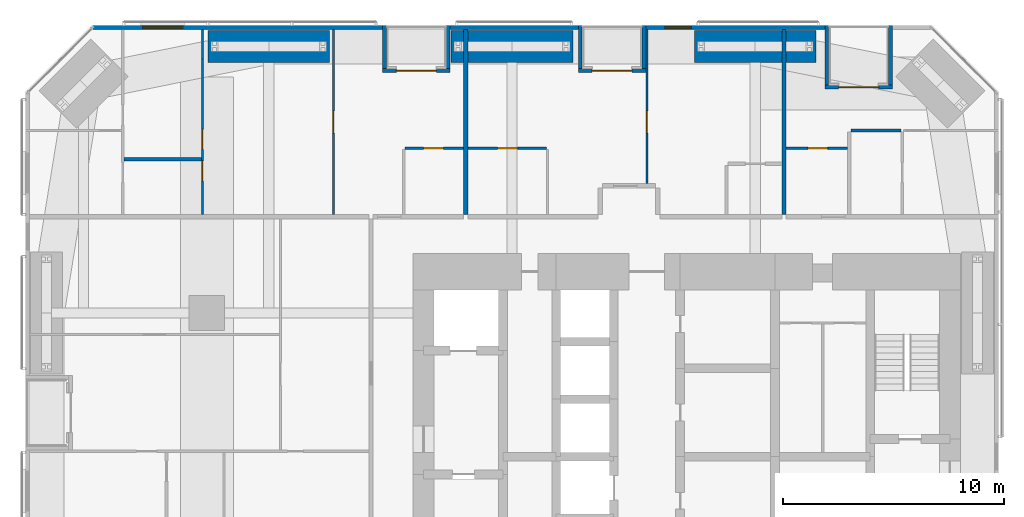
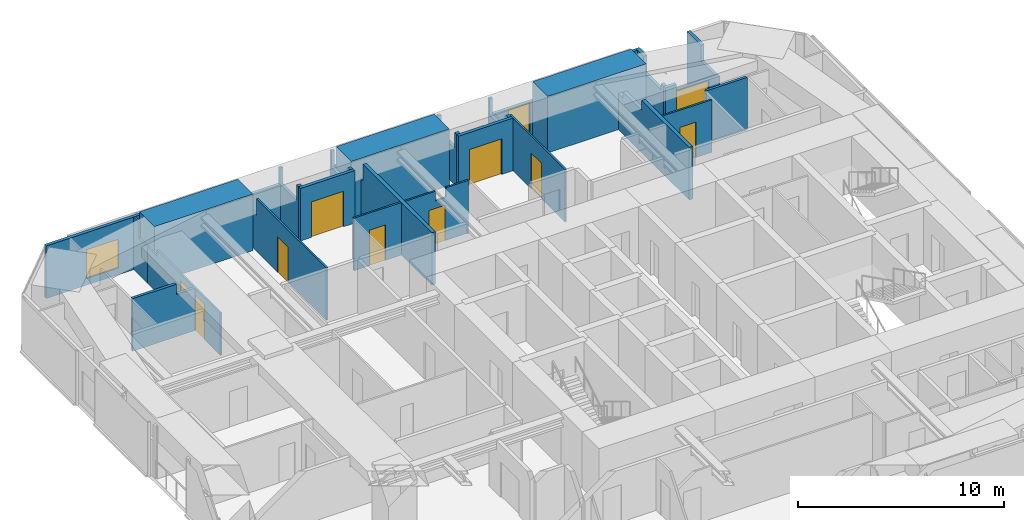
# One storey, part 22 of 24: 27 walls, 10 doors, 2 windows, 12 openings.
"""IFC4 building model written with IfcOpenShell, lengths in metres."""

from ifc_helpers import new_model, si_unit, direction, frame, frame_2d, origin, place, context, subcontext, project, spatial, polyline, rectangle, outline, extrude, material, layer, layer_set, constituent, constituent_set, type_object, element, fill, save


model = new_model("IFC4")

# Units and contexts
model_context = context("Model", 3, precision=1e-05, world=origin(), true_north=direction((0.0, 1.0)))
body_context = subcontext(model_context, "Body", "Model", "MODEL_VIEW")
ifc_project = project(units=[si_unit("LENGTHUNIT", "METRE"), si_unit("AREAUNIT", "SQUARE_METRE"), si_unit("VOLUMEUNIT", "CUBIC_METRE"), si_unit("PLANEANGLEUNIT", "RADIAN"), si_unit("MASSUNIT", "GRAM", prefix="KILO")], contexts=[model_context])

# Site, building, storey
site_placement = place(None, origin())
site = spatial("IfcSite", under=ifc_project, at=site_placement, CompositionType="ELEMENT")
building_placement = place(site_placement, origin())
building = spatial("IfcBuilding", under=site, at=building_placement, Name="Jalousie Tower", CompositionType="ELEMENT")
storey_placement = place(building_placement, frame((0.0, 0.0, 51.14990234375)))
storey = spatial("IfcBuildingStorey", under=building, at=storey_placement, Name="L13", CompositionType="ELEMENT", Elevation=51.14990234375)

# Walls
ifc_material_1 = material(Name="Concrete block ASTM C90", Category="concrete")
ifc_constituent_1 = constituent(ifc_material_1, Name="Body")
ifc_material_2 = material(Name="Render")
ifc_constituent_2 = constituent(ifc_material_2, Name="Finish")
ifc_constituent_set_1 = constituent_set(constituents=[ifc_constituent_1, ifc_constituent_2])
wall_type_1 = type_object("IfcWallType", Name="BATHROOM WALL 150", PredefinedType="PLUMBINGWALL", material=ifc_constituent_set_1)
wall_1_placement = place(storey_placement, frame((6.449951171875, 31.949951171875, 0.0), z_axis=(0.0, 0.0, 1.0), x_axis=(1.0, 0.0, 0.0)))
element("IfcWall", 1, at=wall_1_placement, inside=storey, type_object=wall_type_1, Name="Bathroom Wall 150 L13", PredefinedType="PLUMBINGWALL", context=body_context, shape_type="SweptSolid", body=[
    extrude(outline(polyline([(0.0, 0.0), (3.5, 0.0), (3.5, 3.110107421875), (3.5, 2.510009765625), (2.465087890625, 2.510009765625), (2.465087890625, 3.110107421875), (0.0, 3.110107421875), (0.0, 0.0)])), frame((0.0, 0.074951171875, 0.0), z_axis=(0.0, -1.0, 0.0), x_axis=(1.0, 0.0, 0.0)), (0.0, 0.0, 1.0), 0.14990234375),
])
wall_2_placement = place(storey_placement, frame((39.324951171875, 33.25341796875, 0.0), z_axis=(0.0, 0.0, 1.0), x_axis=(1.0, 0.0, 0.0)))
element("IfcWall", 2, at=wall_2_placement, inside=storey, type_object=wall_type_1, Name="Bathroom Wall 150 L13", PredefinedType="PLUMBINGWALL", context=body_context, shape_type="SweptSolid", body=[
    extrude(rectangle(XDim=2.275146484375, YDim=0.14990234375, at=frame_2d((1.1376953125, 0.0))), origin(), (0.0, 0.0, 1.0), 3.110107421875),
])

# Wall, opening, window
ifc_material_3 = material(Name="Concrete f'c 40 MPa", Category="concrete")
ifc_constituent_3 = constituent(ifc_material_3, Name="Body")
ifc_material_4 = material(Name="Render, pastel coral")
ifc_constituent_4 = constituent(ifc_material_4, Name="Finish")
ifc_constituent_set_2 = constituent_set(constituents=[ifc_constituent_3, ifc_constituent_4])
wall_type_2 = type_object("IfcWallType", Name="EXTERNAL WALL 175 CORAL RENDER", PredefinedType="SOLIDWALL", material=ifc_constituent_set_2)
wall_3_placement = place(storey_placement, frame((38.148681640625, 37.91259765625, 0.0), z_axis=(0.0, 0.0, 1.0), x_axis=(-1.0, 0.0, 0.0)))
wall_3 = element("IfcWall", 3, at=wall_3_placement, inside=storey, type_object=wall_type_2, Name="External Wall 175 Coral Render L13", PredefinedType="SOLIDWALL", context=body_context, shape_type="SweptSolid", body=[
    extrude(outline(polyline([(0.0, 0.0), (8.0986328125, 0.0), (8.0986328125, 2.150146484375), (3.148681640625, 2.150146484375), (3.148681640625, 3.110107421875), (2.992919921875, 3.110107421875), (2.992919921875, 2.150146484375), (2.944580078125, 2.150146484375), (2.944580078125, 3.110107421875), (0.0, 3.110107421875), (0.0, 0.0)])), frame((0.0, 0.08740234375, 0.0), z_axis=(0.0, -1.0, 0.0), x_axis=(1.0, 0.0, 0.0)), (0.0, 0.0, 1.0), 0.175048828125),
])
opening_1_placement = place(wall_3_placement, frame((6.03369140625, 0.0, 0.39990234375)))
opening_1 = element("IfcOpeningElement", 4, at=opening_1_placement, cuts=wall_3, Name="Opening W-COR170", PredefinedType="OPENING", context=body_context, shape_type="SweptSolid", body=[
    extrude(rectangle(XDim=1.199951171875, YDim=1.699951171875, at=frame_2d((0.60009765625, 0.85009765625))), frame((0.0, 0.097412109375, 0.0), z_axis=(0.0, -1.0, 0.0), x_axis=(1.0, 0.0, 0.0)), (0.0, 0.0, 1.0), 0.195068359375),
])
ifc_material_5 = material(Name="Aluminium frame, impact-rated glazing", Category="aluminium")
window_type_1 = type_object("IfcWindowType", Name="WINDOW COR 1200x1700", PartitioningType="SINGLE_PANEL", PredefinedType="WINDOW", material=ifc_material_5)
window_1_placement = place(opening_1_placement, origin())
window_1 = element("IfcWindow", 5, at=window_1_placement, inside=storey, type_object=window_type_1, Name="Apartment 1304 dining room window", OverallHeight=1.699951171875, OverallWidth=1.199951171875, PartitioningType="SINGLE_PANEL", PredefinedType="WINDOW", context=body_context, shape_type="SweptSolid", body=[
    extrude(rectangle(XDim=1.199951171875, YDim=1.699951171875, at=frame_2d((0.60009765625, 0.85009765625))), frame((0.0, 0.030029296875, 0.0), z_axis=(0.0, -1.0, 0.0), x_axis=(1.0, 0.0, 0.0)), (0.0, 0.0, 1.0), 0.06005859375),
])
fill(opening_1, window_1)

# Wall
wall_4_placement = place(storey_placement, frame((27.0, 37.91259765625, 0.0), z_axis=(0.0, 0.0, 1.0), x_axis=(-1.0, 0.0, 0.0)))
element("IfcWall", 6, at=wall_4_placement, inside=storey, type_object=wall_type_2, Name="External Wall 175 Coral Render L13", PredefinedType="SOLIDWALL", context=body_context, shape_type="SweptSolid", body=[
    extrude(rectangle(XDim=5.800048828125, YDim=0.175048828125, at=frame_2d((2.89990234375, 0.0))), origin(), (0.0, 0.0, 1.0), 2.150146484375),
])

# Wall, opening, window
wall_5_placement = place(storey_placement, frame((18.14990234375, 37.91259765625, 0.0), z_axis=(0.0, 0.0, 1.0), x_axis=(-1.0, 0.0, 0.0)))
wall_5 = element("IfcWall", 7, at=wall_5_placement, inside=storey, type_object=wall_type_2, Name="External Wall 175 Coral Render L13", PredefinedType="SOLIDWALL", context=body_context, shape_type="SweptSolid", body=[
    extrude(outline(polyline([(0.0, 0.0), (13.0986328125, 0.0), (13.0986328125, 3.110107421875), (5.35400390625, 3.110107421875), (5.35400390625, 2.150146484375), (5.3056640625, 2.150146484375), (5.3056640625, 3.110107421875), (5.14990234375, 3.110107421875), (5.14990234375, 2.150146484375), (0.0, 2.150146484375), (0.0, 0.0)])), frame((0.0, 0.08740234375, 0.0), z_axis=(0.0, -1.0, 0.0), x_axis=(1.0, 0.0, 0.0)), (0.0, 0.0, 1.0), 0.175048828125),
])
opening_2_placement = place(wall_5_placement, frame((9.050048828125, 0.0, 0.39990234375)))
opening_2 = element("IfcOpeningElement", 8, at=opening_2_placement, cuts=wall_5, Name="Opening W-BED170", PredefinedType="OPENING", context=body_context, shape_type="SweptSolid", body=[
    extrude(rectangle(XDim=1.800048828125, YDim=1.699951171875, at=frame_2d((0.89990234375, 0.85009765625))), frame((0.0, 0.097412109375, 0.0), z_axis=(0.0, -1.0, 0.0), x_axis=(1.0, 0.0, 0.0)), (0.0, 0.0, 1.0), 0.195068359375),
])
ifc_material_6 = material(Name="Aluminium frame, impact-rated glazing", Category="aluminium")
window_type_2 = type_object("IfcWindowType", Name="WINDOW BED 1800x1700", PartitioningType="SINGLE_PANEL", PredefinedType="WINDOW", material=ifc_material_6)
window_2_placement = place(opening_2_placement, origin())
window_2 = element("IfcWindow", 9, at=window_2_placement, inside=storey, type_object=window_type_2, Name="Apartment 1303 bedroom 2 window", OverallHeight=1.699951171875, OverallWidth=1.800048828125, PartitioningType="SINGLE_PANEL", PredefinedType="WINDOW", context=body_context, shape_type="SweptSolid", body=[
    extrude(rectangle(XDim=1.800048828125, YDim=1.699951171875, at=frame_2d((0.89990234375, 0.85009765625))), frame((0.0, 0.030029296875, 0.0), z_axis=(0.0, -1.0, 0.0), x_axis=(1.0, 0.0, 0.0)), (0.0, 0.0, 1.0), 0.06005859375),
])
fill(opening_2, window_2)

# Wall, opening, door
wall_6_placement = place(storey_placement, frame((41.19873046875, 35.21240234375, 0.0), z_axis=(0.0, 0.0, 1.0), x_axis=(-1.0, 0.0, 0.0)))
wall_6 = element("IfcWall", 10, at=wall_6_placement, inside=storey, type_object=wall_type_2, Name="External Wall 175 Coral Render L13-A", PredefinedType="SOLIDWALL", context=body_context, shape_type="SweptSolid", body=[
    extrude(rectangle(XDim=2.425048828125, YDim=0.175048828125, at=frame_2d((1.21240234375, 0.0))), origin(), (0.0, 0.0, 1.0), 2.150146484375),
])
opening_3_placement = place(wall_6_placement, frame((0.625, 0.0, 0.0)))
opening_3 = element("IfcOpeningElement", 11, at=opening_3_placement, cuts=wall_6, Name="Opening D-BAL21", PredefinedType="OPENING", context=body_context, shape_type="SweptSolid", body=[
    extrude(rectangle(XDim=1.800048828125, YDim=2.10009765625, at=frame_2d((0.89990234375, 1.050048828125))), frame((0.0, 0.097412109375, 0.0), z_axis=(0.0, -1.0, 0.0), x_axis=(1.0, 0.0, 0.0)), (0.0, 0.0, 1.0), 0.195068359375),
])
ifc_material_7 = material(Name="Aluminium frame, impact-rated glazing", Category="aluminium")
door_type_1 = type_object("IfcDoorType", Name="BALCONY DOOR 1800x2100", OperationType="SLIDING_TO_LEFT", PredefinedType="DOOR", material=ifc_material_7)
door_1_placement = place(opening_3_placement, origin())
door_1 = element("IfcDoor", 12, at=door_1_placement, inside=storey, type_object=door_type_1, Name="Apartment 1305 living and dining room loggia door", OperationType="SLIDING_TO_LEFT", OverallHeight=2.10009765625, OverallWidth=1.800048828125, PredefinedType="DOOR", context=body_context, shape_type="SweptSolid", body=[
    extrude(rectangle(XDim=1.800048828125, YDim=2.10009765625, at=frame_2d((0.89990234375, 1.050048828125))), frame((0.0, 0.02490234375, 0.0), z_axis=(0.0, -1.0, 0.0), x_axis=(1.0, 0.0, 0.0)), (0.0, 0.0, 1.0), 0.050048828125),
])
fill(opening_3, door_1)

# Walls
wall_7_placement = place(storey_placement, frame((38.773681640625, 35.21240234375, 0.0), z_axis=(0.0, 0.0, 1.0), x_axis=(-1.0, 0.0, 0.0)))
element("IfcWall", 13, at=wall_7_placement, inside=storey, type_object=wall_type_2, Name="External Wall 175 Coral Render L13-B", PredefinedType="SOLIDWALL", context=body_context, shape_type="SweptSolid", body=[
    extrude(rectangle(XDim=0.625, YDim=0.175048828125, at=frame_2d((0.3125, 0.0))), origin(), (0.0, 0.0, 1.0), 2.510009765625),
])
wall_8_placement = place(storey_placement, frame((41.111083984375, 38.0, 0.0), z_axis=(0.0, 0.0, 1.0), x_axis=(0.0, -1.0, 0.0)))
element("IfcWall", 14, at=wall_8_placement, inside=storey, type_object=wall_type_2, Name="External Wall 175 Coral Render L13", PredefinedType="SOLIDWALL", context=body_context, shape_type="SweptSolid", body=[
    extrude(outline(polyline([(0.0, 0.0), (2.699951171875, 0.0), (2.699951171875, 2.150146484375), (1.34423828125, 2.150146484375), (1.34423828125, 3.110107421875), (0.0, 3.110107421875), (0.0, 0.0)])), frame((0.0, 0.08740234375, 0.0), z_axis=(0.0, -1.0, 0.0), x_axis=(1.0, 0.0, 0.0)), (0.0, 0.0, 1.0), 0.175048828125),
])
wall_9_placement = place(storey_placement, frame((38.236083984375, 38.0, 0.0), z_axis=(0.0, 0.0, 1.0), x_axis=(0.0, -1.0, 0.0)))
element("IfcWall", 15, at=wall_9_placement, inside=storey, type_object=wall_type_2, Name="External Wall 175 Coral Render L13", PredefinedType="SOLIDWALL", context=body_context, shape_type="SweptSolid", body=[
    extrude(outline(polyline([(0.0, 0.0), (2.699951171875, 0.0), (2.699951171875, 2.510009765625), (2.433837890625, 2.510009765625), (2.433837890625, 2.150146484375), (0.7666015625, 2.150146484375), (0.7666015625, 3.110107421875), (0.0, 3.110107421875), (0.0, 0.0)])), frame((0.0, 0.08740234375, 0.0), z_axis=(0.0, -1.0, 0.0), x_axis=(1.0, 0.0, 0.0)), (0.0, 0.0, 1.0), 0.175048828125),
])

# Wall, opening, door
wall_10_placement = place(storey_placement, frame((30.050048828125, 35.96240234375, 0.0), z_axis=(0.0, 0.0, 1.0), x_axis=(-1.0, 0.0, 0.0)))
wall_10 = element("IfcWall", 16, at=wall_10_placement, inside=storey, type_object=wall_type_2, Name="External Wall 175 Coral Render L13", PredefinedType="SOLIDWALL", context=body_context, shape_type="SweptSolid", body=[
    extrude(rectangle(XDim=3.050048828125, YDim=0.175048828125, at=frame_2d((1.52490234375, 0.0))), origin(), (0.0, 0.0, 1.0), 3.110107421875),
])
opening_4_placement = place(wall_10_placement, frame((0.625, 0.0, 0.0)))
opening_4 = element("IfcOpeningElement", 17, at=opening_4_placement, cuts=wall_10, Name="Opening D-BAL21", PredefinedType="OPENING", context=body_context, shape_type="SweptSolid", body=[
    extrude(rectangle(XDim=1.800048828125, YDim=2.10009765625, at=frame_2d((0.89990234375, 1.050048828125))), frame((0.0, 0.097412109375, 0.0), z_axis=(0.0, -1.0, 0.0), x_axis=(1.0, 0.0, 0.0)), (0.0, 0.0, 1.0), 0.195068359375),
])
door_2_placement = place(opening_4_placement, origin())
door_2 = element("IfcDoor", 18, at=door_2_placement, inside=storey, type_object=door_type_1, Name="Apartment 1304 studio living and sleeping room loggia door", OperationType="SLIDING_TO_LEFT", OverallHeight=2.10009765625, OverallWidth=1.800048828125, PredefinedType="DOOR", context=body_context, shape_type="SweptSolid", body=[
    extrude(rectangle(XDim=1.800048828125, YDim=2.10009765625, at=frame_2d((0.89990234375, 1.050048828125))), frame((0.0, 0.02490234375, 0.0), z_axis=(0.0, -1.0, 0.0), x_axis=(1.0, 0.0, 0.0)), (0.0, 0.0, 1.0), 0.050048828125),
])
fill(opening_4, door_2)

# Walls
for number, where, z_axis, x_axis, name in (
    (19, (29.96240234375, 38.0, 0.0), (0.0, 0.0, 1.0), (0.0, -1.0, 0.0), "External Wall 175 Coral Render L13"),
    (20, (27.08740234375, 38.0, 0.0), (0.0, 0.0, 1.0), (0.0, -1.0, 0.0), "External Wall 175 Coral Render L13"),
):
    element("IfcWall", number, at=place(storey_placement, frame(where, z_axis=z_axis, x_axis=x_axis)), inside=storey, type_object=wall_type_2, Name=name, PredefinedType="SOLIDWALL", context=body_context, shape_type="SweptSolid", body=[
        extrude(outline(polyline([(0.0, 0.0), (1.949951171875, 0.0), (1.949951171875, 3.110107421875), (1.75, 3.110107421875), (1.75, 2.150146484375), (0.14990234375, 2.150146484375), (0.14990234375, 3.110107421875), (0.0, 3.110107421875), (0.0, 0.0)])), frame((0.0, 0.08740234375, 0.0), z_axis=(0.0, -1.0, 0.0), x_axis=(1.0, 0.0, 0.0)), (0.0, 0.0, 1.0), 0.175048828125),
    ])

# Wall, opening, door
wall_11_placement = place(storey_placement, frame((21.199951171875, 35.96240234375, 0.0), z_axis=(0.0, 0.0, 1.0), x_axis=(-1.0, 0.0, 0.0)))
wall_11 = element("IfcWall", 21, at=wall_11_placement, inside=storey, type_object=wall_type_2, Name="External Wall 175 Coral Render L13", PredefinedType="SOLIDWALL", context=body_context, shape_type="SweptSolid", body=[
    extrude(rectangle(XDim=3.050048828125, YDim=0.175048828125, at=frame_2d((1.52490234375, 0.0))), origin(), (0.0, 0.0, 1.0), 3.110107421875),
])
opening_5_placement = place(wall_11_placement, frame((0.625, 0.0, 0.0)))
opening_5 = element("IfcOpeningElement", 22, at=opening_5_placement, cuts=wall_11, Name="Opening D-BAL21", PredefinedType="OPENING", context=body_context, shape_type="SweptSolid", body=[
    extrude(rectangle(XDim=1.800048828125, YDim=2.10009765625, at=frame_2d((0.89990234375, 1.050048828125))), frame((0.0, 0.097412109375, 0.0), z_axis=(0.0, -1.0, 0.0), x_axis=(1.0, 0.0, 0.0)), (0.0, 0.0, 1.0), 0.195068359375),
])
door_3_placement = place(opening_5_placement, origin())
door_3 = element("IfcDoor", 23, at=door_3_placement, inside=storey, type_object=door_type_1, Name="Apartment 1303 living room loggia door", OperationType="SLIDING_TO_LEFT", OverallHeight=2.10009765625, OverallWidth=1.800048828125, PredefinedType="DOOR", context=body_context, shape_type="SweptSolid", body=[
    extrude(rectangle(XDim=1.800048828125, YDim=2.10009765625, at=frame_2d((0.89990234375, 1.050048828125))), frame((0.0, 0.02490234375, 0.0), z_axis=(0.0, -1.0, 0.0), x_axis=(1.0, 0.0, 0.0)), (0.0, 0.0, 1.0), 0.050048828125),
])
fill(opening_5, door_3)

# Walls
for number, where, z_axis, x_axis, name in (
    (24, (21.112548828125, 38.0, 0.0), (0.0, 0.0, 1.0), (0.0, -1.0, 0.0), "External Wall 175 Coral Render L13"),
    (25, (18.237548828125, 38.0, 0.0), (0.0, 0.0, 1.0), (0.0, -1.0, 0.0), "External Wall 175 Coral Render L13"),
):
    element("IfcWall", number, at=place(storey_placement, frame(where, z_axis=z_axis, x_axis=x_axis)), inside=storey, type_object=wall_type_2, Name=name, PredefinedType="SOLIDWALL", context=body_context, shape_type="SweptSolid", body=[
        extrude(outline(polyline([(0.0, 0.0), (1.949951171875, 0.0), (1.949951171875, 3.110107421875), (1.75, 3.110107421875), (1.75, 2.150146484375), (0.14990234375, 2.150146484375), (0.14990234375, 3.110107421875), (0.0, 3.110107421875), (0.0, 0.0)])), frame((0.0, 0.08740234375, 0.0), z_axis=(0.0, -1.0, 0.0), x_axis=(1.0, 0.0, 0.0)), (0.0, 0.0, 1.0), 0.175048828125),
    ])
ifc_material_8 = material(Name="Gypsum board", Category="gypsum")
ifc_constituent_5 = constituent(ifc_material_8, Name="Body")
ifc_material_9 = material(Name="Light-gauge steel studs ASTM A653 SS Grade 33", Category="steel")
ifc_constituent_6 = constituent(ifc_material_9, Name="Framing")
ifc_constituent_set_3 = constituent_set(constituents=[ifc_constituent_5, ifc_constituent_6])
wall_type_3 = type_object("IfcWallType", Name="PARTITION 100", PredefinedType="PARTITIONING", material=ifc_constituent_set_3)
wall_12_placement = place(storey_placement, frame((10.0, 37.824951171875, 0.0), z_axis=(0.0, 0.0, 1.0), x_axis=(0.0, -1.0, 0.0)))
element("IfcWall", 26, at=wall_12_placement, inside=storey, type_object=wall_type_3, Name="Partition 100 L13-A", PredefinedType="PARTITIONING", context=body_context, shape_type="SweptSolid", body=[
    extrude(outline(polyline([(0.0, 0.0), (1.337646484375, 0.0), (1.337646484375, 2.150146484375), (0.50048828125, 2.150146484375), (0.50048828125, 3.110107421875), (0.0, 3.110107421875), (0.0, 0.0)])), frame((0.0, 0.050048828125, 0.0), z_axis=(0.0, -1.0, 0.0), x_axis=(1.0, 0.0, 0.0)), (0.0, 0.0, 1.0), 0.10009765625),
])

# Wall, openings, doors
wall_13_placement = place(storey_placement, frame((10.0, 36.4873046875, 0.0), z_axis=(0.0, 0.0, 1.0), x_axis=(0.0, -1.0, 0.0)))
wall_13 = element("IfcWall", 27, at=wall_13_placement, inside=storey, type_object=wall_type_3, Name="Partition 100 L13-B", PredefinedType="PARTITIONING", context=body_context, shape_type="SweptSolid", body=[
    extrude(outline(polyline([(0.0, 0.0), (7.037353515625, 0.0), (7.037353515625, 2.510009765625), (0.917236328125, 2.510009765625), (0.917236328125, 2.150146484375), (0.0, 2.150146484375), (0.0, 0.0)])), frame((0.0, 0.050048828125, 0.0), z_axis=(0.0, -1.0, 0.0), x_axis=(1.0, 0.0, 0.0)), (0.0, 0.0, 1.0), 0.10009765625),
])
opening_6_placement = place(wall_13_placement, frame((3.1875, 0.0, 0.0)))
opening_6 = element("IfcOpeningElement", 28, at=opening_6_placement, cuts=wall_13, Name="Opening D2", PredefinedType="OPENING", context=body_context, shape_type="SweptSolid", body=[
    extrude(rectangle(XDim=0.89990234375, YDim=2.10009765625, at=frame_2d((0.449951171875, 1.050048828125))), frame((0.0, 0.06005859375, 0.0), z_axis=(0.0, -1.0, 0.0), x_axis=(1.0, 0.0, 0.0)), (0.0, 0.0, 1.0), 0.1201171875),
])
opening_7_placement = place(wall_13_placement, frame((4.6123046875, 0.0, 0.0)))
opening_7 = element("IfcOpeningElement", 29, at=opening_7_placement, cuts=wall_13, Name="Opening D7", PredefinedType="OPENING", context=body_context, shape_type="SweptSolid", body=[
    extrude(rectangle(XDim=0.89990234375, YDim=2.10009765625, at=frame_2d((0.449951171875, 1.050048828125))), frame((0.0, 0.06005859375, 0.0), z_axis=(0.0, -1.0, 0.0), x_axis=(1.0, 0.0, 0.0)), (0.0, 0.0, 1.0), 0.1201171875),
])
ifc_material_10 = material(Name="Timber door", Category="wood")
door_type_2 = type_object("IfcDoorType", Name="BEDROOM DOOR 900", OperationType="SINGLE_SWING_LEFT", PredefinedType="DOOR", material=ifc_material_10)
door_4_placement = place(opening_6_placement, frame((0.89990234375, 0.0, 0.0), z_axis=(0.0, 0.0, 1.0), x_axis=(-1.0, 0.0, 0.0)))
door_4 = element("IfcDoor", 30, at=door_4_placement, inside=storey, type_object=door_type_2, Name="Apartment 1303 bedroom 2 door", OperationType="SINGLE_SWING_LEFT", OverallHeight=2.10009765625, OverallWidth=0.89990234375, PredefinedType="DOOR", context=body_context, shape_type="SweptSolid", body=[
    extrude(rectangle(XDim=0.89990234375, YDim=2.10009765625, at=frame_2d((0.449951171875, 1.050048828125))), frame((0.0, 0.02490234375, 0.0), z_axis=(0.0, -1.0, 0.0), x_axis=(1.0, 0.0, 0.0)), (0.0, 0.0, 1.0), 0.050048828125),
])
fill(opening_6, door_4)
ifc_material_11 = material(Name="Timber door", Category="wood")
door_type_3 = type_object("IfcDoorType", Name="INTERNAL DOOR 900", OperationType="SINGLE_SWING_LEFT", PredefinedType="DOOR", material=ifc_material_11)
door_5_placement = place(opening_7_placement, frame((0.89990234375, 0.0, 0.0), z_axis=(0.0, 0.0, 1.0), x_axis=(-1.0, 0.0, 0.0)))
door_5 = element("IfcDoor", 31, at=door_5_placement, inside=storey, type_object=door_type_3, Name="Apartment 1303 bathroom door", OperationType="SINGLE_SWING_RIGHT", OverallHeight=2.10009765625, OverallWidth=0.89990234375, PredefinedType="DOOR", context=body_context, shape_type="SweptSolid", body=[
    extrude(rectangle(XDim=0.89990234375, YDim=2.10009765625, at=frame_2d((0.449951171875, 1.050048828125))), frame((0.0, 0.02490234375, 0.0), z_axis=(0.0, -1.0, 0.0), x_axis=(1.0, 0.0, 0.0)), (0.0, 0.0, 1.0), 0.050048828125),
])
fill(opening_7, door_5)

# Wall, opening, door
wall_14_placement = place(storey_placement, frame((19.14990234375, 32.449951171875, 0.0), z_axis=(0.0, 0.0, 1.0), x_axis=(1.0, 0.0, 0.0)))
wall_14 = element("IfcWall", 32, at=wall_14_placement, inside=storey, type_object=wall_type_3, Name="Partition 100 L13", PredefinedType="PARTITIONING", context=body_context, shape_type="SweptSolid", body=[
    extrude(rectangle(XDim=2.650146484375, YDim=0.10009765625, at=frame_2d((1.3251953125, 0.0))), origin(), (0.0, 0.0, 1.0), 3.110107421875),
])
opening_8_placement = place(wall_14_placement, frame((0.85009765625, 0.0, 0.0)))
opening_8 = element("IfcOpeningElement", 33, at=opening_8_placement, cuts=wall_14, Name="Opening D7", PredefinedType="OPENING", context=body_context, shape_type="SweptSolid", body=[
    extrude(rectangle(XDim=0.89990234375, YDim=2.10009765625, at=frame_2d((0.449951171875, 1.050048828125))), frame((0.0, 0.06005859375, 0.0), z_axis=(0.0, -1.0, 0.0), x_axis=(1.0, 0.0, 0.0)), (0.0, 0.0, 1.0), 0.1201171875),
])
door_6_placement = place(opening_8_placement, frame((0.89990234375, 0.0, 0.0), z_axis=(0.0, 0.0, 1.0), x_axis=(-1.0, 0.0, 0.0)))
door_6 = element("IfcDoor", 34, at=door_6_placement, inside=storey, type_object=door_type_3, Name="Apartment 1303 kitchen door", OperationType="SINGLE_SWING_RIGHT", OverallHeight=2.10009765625, OverallWidth=0.89990234375, PredefinedType="DOOR", context=body_context, shape_type="SweptSolid", body=[
    extrude(rectangle(XDim=0.89990234375, YDim=2.10009765625, at=frame_2d((0.449951171875, 1.050048828125))), frame((0.0, 0.02490234375, 0.0), z_axis=(0.0, -1.0, 0.0), x_axis=(1.0, 0.0, 0.0)), (0.0, 0.0, 1.0), 0.050048828125),
])
fill(opening_8, door_6)

wall_15_placement = place(storey_placement, frame((15.925048828125, 37.824951171875, 0.0), z_axis=(0.0, 0.0, 1.0), x_axis=(0.0, -1.0, 0.0)))
wall_15 = element("IfcWall", 35, at=wall_15_placement, inside=storey, type_object=wall_type_3, Name="Partition 100 L13", PredefinedType="PARTITIONING", context=body_context, shape_type="SweptSolid", body=[
    extrude(outline(polyline([(0.0, 0.0), (8.375, 0.0), (8.375, 3.110107421875), (1.635009765625, 3.110107421875), (1.635009765625, 2.150146484375), (0.0, 2.150146484375), (0.0, 3.110107421875), (0.0, 0.0)])), frame((0.0, 0.050048828125, 0.0), z_axis=(0.0, -1.0, 0.0), x_axis=(1.0, 0.0, 0.0)), (0.0, 0.0, 1.0), 0.10009765625),
])
opening_9_placement = place(wall_15_placement, frame((3.6875, 0.0, 0.0)))
opening_9 = element("IfcOpeningElement", 36, at=opening_9_placement, cuts=wall_15, Name="Opening D6", PredefinedType="OPENING", context=body_context, shape_type="SweptSolid", body=[
    extrude(rectangle(XDim=1.0, YDim=2.10009765625, at=frame_2d((0.5, 1.050048828125))), frame((0.0, 0.06005859375, 0.0), z_axis=(0.0, -1.0, 0.0), x_axis=(1.0, 0.0, 0.0)), (0.0, 0.0, 1.0), 0.1201171875),
])
ifc_material_12 = material(Name="Timber door", Category="wood")
door_type_4 = type_object("IfcDoorType", Name="INTERNAL DOOR 1000", OperationType="SINGLE_SWING_LEFT", PredefinedType="DOOR", material=ifc_material_12)
door_7_placement = place(opening_9_placement, frame((1.0, 0.0, 0.0), z_axis=(0.0, 0.0, 1.0), x_axis=(-1.0, 0.0, 0.0)))
door_7 = element("IfcDoor", 37, at=door_7_placement, inside=storey, type_object=door_type_4, Name="Apartment 1303 dining room door", OperationType="SINGLE_SWING_RIGHT", OverallHeight=2.10009765625, OverallWidth=1.0, PredefinedType="DOOR", context=body_context, shape_type="SweptSolid", body=[
    extrude(rectangle(XDim=1.0, YDim=2.10009765625, at=frame_2d((0.5, 1.050048828125))), frame((0.0, 0.02490234375, 0.0), z_axis=(0.0, -1.0, 0.0), x_axis=(1.0, 0.0, 0.0)), (0.0, 0.0, 1.0), 0.050048828125),
])
fill(opening_9, door_7)

wall_16_placement = place(storey_placement, frame((22.0, 32.449951171875, 0.0), z_axis=(0.0, 0.0, 1.0), x_axis=(1.0, 0.0, 0.0)))
wall_16 = element("IfcWall", 38, at=wall_16_placement, inside=storey, type_object=wall_type_3, Name="Partition 100 L13", PredefinedType="PARTITIONING", context=body_context, shape_type="SweptSolid", body=[
    extrude(outline(polyline([(0.0, 0.0), (3.550048828125, 0.0), (3.550048828125, 3.110107421875), (2.287353515625, 3.110107421875), (2.287353515625, 2.541015625), (1.712646484375, 2.541015625), (1.712646484375, 3.110107421875), (0.0, 3.110107421875), (0.0, 0.0)])), frame((0.0, 0.050048828125, 0.0), z_axis=(0.0, -1.0, 0.0), x_axis=(1.0, 0.0, 0.0)), (0.0, 0.0, 1.0), 0.10009765625),
])
opening_10_placement = place(wall_16_placement, frame((1.35009765625, 0.0, 0.0)))
opening_10 = element("IfcOpeningElement", 39, at=opening_10_placement, cuts=wall_16, Name="Opening D7", PredefinedType="OPENING", context=body_context, shape_type="SweptSolid", body=[
    extrude(rectangle(XDim=0.89990234375, YDim=2.10009765625, at=frame_2d((0.449951171875, 1.050048828125))), frame((0.0, 0.06005859375, 0.0), z_axis=(0.0, -1.0, 0.0), x_axis=(1.0, 0.0, 0.0)), (0.0, 0.0, 1.0), 0.1201171875),
])
door_8_placement = place(opening_10_placement, frame((0.89990234375, 0.0, 0.0), z_axis=(0.0, 0.0, 1.0), x_axis=(-1.0, 0.0, 0.0)))
door_8 = element("IfcDoor", 40, at=door_8_placement, inside=storey, type_object=door_type_3, Name="Apartment 1304 kitchen door", OperationType="SINGLE_SWING_LEFT", OverallHeight=2.10009765625, OverallWidth=0.89990234375, PredefinedType="DOOR", context=body_context, shape_type="SweptSolid", body=[
    extrude(rectangle(XDim=0.89990234375, YDim=2.10009765625, at=frame_2d((0.449951171875, 1.050048828125))), frame((0.0, 0.02490234375, 0.0), z_axis=(0.0, -1.0, 0.0), x_axis=(1.0, 0.0, 0.0)), (0.0, 0.0, 1.0), 0.050048828125),
])
fill(opening_10, door_8)

wall_17_placement = place(storey_placement, frame((30.10009765625, 37.824951171875, 0.0), z_axis=(0.0, 0.0, 1.0), x_axis=(0.0, -1.0, 0.0)))
wall_17 = element("IfcWall", 41, at=wall_17_placement, inside=storey, type_object=wall_type_3, Name="Partition 100 L13", PredefinedType="PARTITIONING", context=body_context, shape_type="SweptSolid", body=[
    extrude(outline(polyline([(0.0, 0.0), (6.974853515625, 0.0), (6.97509765625, 3.110107421875), (1.635009765625, 3.110107421875), (1.635009765625, 2.150146484375), (0.0, 2.150146484375), (0.0, 3.110107421875), (0.0, 0.0)])), frame((0.0, 0.050048828125, 0.0), z_axis=(0.0, -1.0, 0.0), x_axis=(1.0, 0.0, 0.0)), (0.0, 0.0, 1.0), 0.10009765625),
])
opening_11_placement = place(wall_17_placement, frame((3.6875, 0.0, 0.0)))
opening_11 = element("IfcOpeningElement", 42, at=opening_11_placement, cuts=wall_17, Name="Opening D6", PredefinedType="OPENING", context=body_context, shape_type="SweptSolid", body=[
    extrude(rectangle(XDim=1.0, YDim=2.10009765625, at=frame_2d((0.5, 1.050048828125))), frame((0.0, 0.06005859375, 0.0), z_axis=(0.0, -1.0, 0.0), x_axis=(1.0, 0.0, 0.0)), (0.0, 0.0, 1.0), 0.1201171875),
])
door_9_placement = place(opening_11_placement, origin())
door_9 = element("IfcDoor", 43, at=door_9_placement, inside=storey, type_object=door_type_4, Name="Apartment 1304 dining room door", OperationType="SINGLE_SWING_RIGHT", OverallHeight=2.10009765625, OverallWidth=1.0, PredefinedType="DOOR", context=body_context, shape_type="SweptSolid", body=[
    extrude(rectangle(XDim=1.0, YDim=2.10009765625, at=frame_2d((0.5, 1.050048828125))), frame((0.0, 0.02490234375, 0.0), z_axis=(0.0, -1.0, 0.0), x_axis=(1.0, 0.0, 0.0)), (0.0, 0.0, 1.0), 0.050048828125),
])
fill(opening_11, door_9)

wall_18_placement = place(storey_placement, frame((36.39990234375, 32.449951171875, 0.0), z_axis=(0.0, 0.0, 1.0), x_axis=(1.0, 0.0, 0.0)))
wall_18 = element("IfcWall", 44, at=wall_18_placement, inside=storey, type_object=wall_type_3, Name="Partition 100 L13", PredefinedType="PARTITIONING", context=body_context, shape_type="SweptSolid", body=[
    extrude(rectangle(XDim=2.775146484375, YDim=0.10009765625, at=frame_2d((1.3876953125, 0.0))), origin(), (0.0, 0.0, 1.0), 3.110107421875),
])
opening_12_placement = place(wall_18_placement, frame((0.97509765625, 0.0, 0.0)))
opening_12 = element("IfcOpeningElement", 45, at=opening_12_placement, cuts=wall_18, Name="Opening D7", PredefinedType="OPENING", context=body_context, shape_type="SweptSolid", body=[
    extrude(rectangle(XDim=0.89990234375, YDim=2.10009765625, at=frame_2d((0.449951171875, 1.050048828125))), frame((0.0, 0.06005859375, 0.0), z_axis=(0.0, -1.0, 0.0), x_axis=(1.0, 0.0, 0.0)), (0.0, 0.0, 1.0), 0.1201171875),
])
door_10_placement = place(opening_12_placement, origin())
door_10 = element("IfcDoor", 46, at=door_10_placement, inside=storey, type_object=door_type_3, Name="Apartment 1305 kitchen door", OperationType="SINGLE_SWING_RIGHT", OverallHeight=2.10009765625, OverallWidth=0.89990234375, PredefinedType="DOOR", context=body_context, shape_type="SweptSolid", body=[
    extrude(rectangle(XDim=0.89990234375, YDim=2.10009765625, at=frame_2d((0.449951171875, 1.050048828125))), frame((0.0, 0.02490234375, 0.0), z_axis=(0.0, -1.0, 0.0), x_axis=(1.0, 0.0, 0.0)), (0.0, 0.0, 1.0), 0.050048828125),
])
fill(opening_12, door_10)

# Walls
ifc_material_13 = material(Name="Concrete block ASTM C90", Category="concrete")
ifc_constituent_7 = constituent(ifc_material_13, Name="Body")
ifc_material_14 = material(Name="Render")
ifc_constituent_8 = constituent(ifc_material_14, Name="Finish")
ifc_constituent_set_4 = constituent_set(constituents=[ifc_constituent_7, ifc_constituent_8])
wall_type_4 = type_object("IfcWallType", Name="PARTY WALL 200", PredefinedType="PARTITIONING", material=ifc_constituent_set_4)
wall_19_placement = place(storey_placement, frame((21.89990234375, 37.824951171875, 0.0), z_axis=(0.0, 0.0, 1.0), x_axis=(0.0, -1.0, 0.0)))
element("IfcWall", 47, at=wall_19_placement, inside=storey, type_object=wall_type_4, Name="Party Wall 200 L13", PredefinedType="PARTITIONING", context=body_context, shape_type="SweptSolid", body=[
    extrude(outline(polyline([(0.52880859375, 2.150146484375), (0.0, 2.150146484375), (0.0, 0.0), (0.52880859375, 0.0), (0.52880859375, 0.068603515625), (1.021240234375, 0.068603515625), (1.021240234375, 0.0), (8.375, 0.0), (8.375, 3.110107421875), (1.68505859375, 3.110107421875), (1.68505859375, 2.150146484375), (1.021240234375, 2.150146484375), (1.021240234375, 2.081787109375), (0.52880859375, 2.081787109375), (0.52880859375, 2.150146484375)])), frame((0.0, 0.10009765625, 0.0), z_axis=(0.0, -1.0, 0.0), x_axis=(1.0, 0.0, 0.0)), (0.0, 0.0, 1.0), 0.199951171875),
])
wall_20_placement = place(storey_placement, frame((36.300048828125, 37.824951171875, 0.0), z_axis=(0.0, 0.0, 1.0), x_axis=(0.0, -1.0, 0.0)))
element("IfcWall", 48, at=wall_20_placement, inside=storey, type_object=wall_type_4, Name="Party Wall 200 L13", PredefinedType="PARTITIONING", context=body_context, shape_type="SweptSolid", body=[
    extrude(outline(polyline([(0.10791015625, 3.110107421875), (0.0, 3.110107421875), (0.0, 0.0), (0.52880859375, 0.0), (0.52880859375, 0.615478515625), (1.021240234375, 0.615478515625), (1.021240234375, 0.0), (8.375, 0.0), (8.375, 3.110107421875), (3.766357421875, 3.110107421875), (3.766357421875, 2.510009765625), (1.96435546875, 2.510009765625), (1.96435546875, 2.150146484375), (1.021240234375, 2.150146484375), (1.021240234375, 1.534912109375), (0.52880859375, 1.534912109375), (0.52880859375, 2.150146484375), (0.10791015625, 2.150146484375), (0.10791015625, 3.110107421875)])), frame((0.0, 0.10009765625, 0.0), z_axis=(0.0, -1.0, 0.0), x_axis=(1.0, 0.0, 0.0)), (0.0, 0.0, 1.0), 0.199951171875),
])
ifc_material_15 = material(Name="Concrete f'c 120 MPa", Category="concrete")
ifc_layer = layer(ifc_material_15, 1.449951171875)
ifc_layer_set = layer_set([ifc_layer], Name="Concrete f'c 120 MPa")
wall_type_5 = type_object("IfcWallType", Name="RC WALL PIER 1450", PredefinedType="SHEAR", material=ifc_layer_set)
for number, where, z_axis, x_axis, name in (
    (49, (32.25, 37.050048828125, 0.0), (0.0, 0.0, 1.0), (1.0, 0.0, 0.0), "Wall pier 09 L13"),
    (50, (21.25, 37.050048828125, 0.0), (0.0, 0.0, 1.0), (1.0, 0.0, 0.0), "Wall pier 10 L13"),
    (51, (10.25, 37.050048828125, 0.0), (0.0, 0.0, 1.0), (1.0, 0.0, 0.0), "Wall pier 11 L13"),
):
    element("IfcWall", number, at=place(storey_placement, frame(where, z_axis=z_axis, x_axis=x_axis)), inside=storey, type_object=wall_type_5, Name=name, PredefinedType="SHEAR", context=body_context, shape_type="SweptSolid", body=[
        extrude(rectangle(XDim=5.5, YDim=1.449951171875, at=frame_2d((2.75, 0.0))), origin(), (0.0, 0.0, 1.0), 3.35009765625),
    ])

save(model, "model.ifc")
